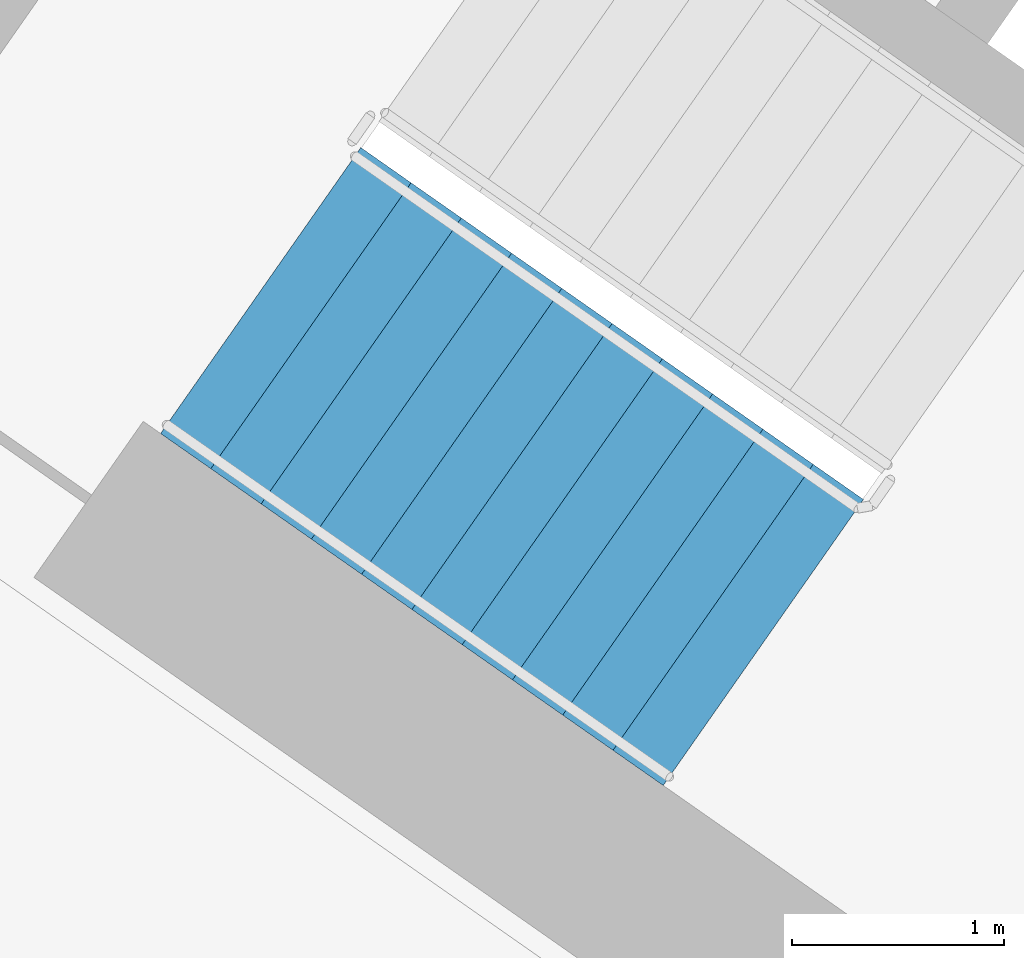
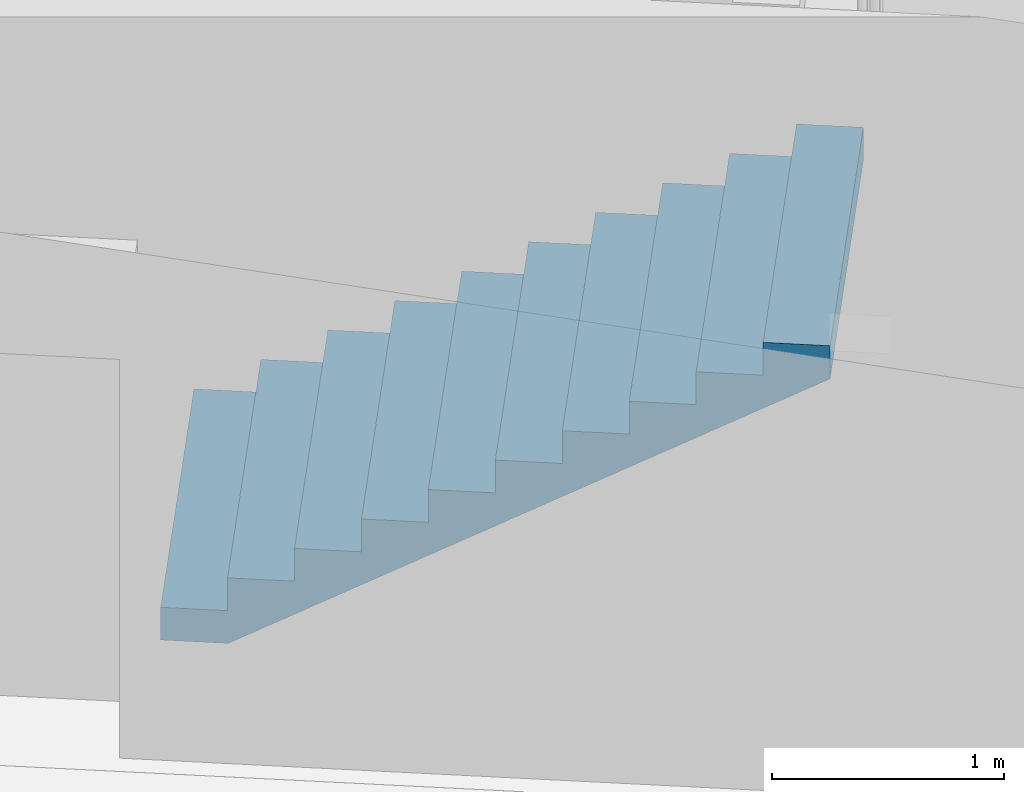
# One storey, part 11 of 32: 1 stair flight, 1 element without a shape of its own.
"""IFC4 building model written with IfcOpenShell, lengths in metres."""

from ifc_helpers import new_model, si_unit, direction, frame, origin, place, context, subcontext, project, spatial, faceted_brep, material, type_object, element, aggregate, save


model = new_model("IFC4")

# Units and contexts
model_context = context("Model", 3, precision=1e-05, world=origin(), true_north=direction((0.0, 1.0)))
body_context = subcontext(model_context, "Body", "Model", "MODEL_VIEW")
ifc_project = project(units=[si_unit("LENGTHUNIT", "METRE"), si_unit("AREAUNIT", "SQUARE_METRE"), si_unit("VOLUMEUNIT", "CUBIC_METRE"), si_unit("PLANEANGLEUNIT", "RADIAN"), si_unit("MASSUNIT", "GRAM", prefix="KILO")], contexts=[model_context])

# Site, building, storey
site_placement = place(None, origin())
site = spatial("IfcSite", under=ifc_project, at=site_placement, CompositionType="ELEMENT")
building_placement = place(site_placement, origin())
building = spatial("IfcBuilding", under=site, at=building_placement, Name="Qamariyya Broadcast Tower", CompositionType="ELEMENT")
storey_placement = place(building_placement, frame((0.0, 0.0, 63.300048828125)))
storey = spatial("IfcBuildingStorey", under=building, at=storey_placement, Name="L12", CompositionType="ELEMENT", Elevation=63.300048828125)

# Stair, stair flight
ifc_material = material(Name="Concrete C50/60", Category="concrete")
stair_type = type_object("IfcStairType", Name="Exit stair 22 risers of 173 mm", PredefinedType="HALF_TURN_STAIR", material=ifc_material)
stair_placement = place(storey_placement, origin())
stair = element("IfcStair", 1, at=stair_placement, inside=storey, type_object=stair_type, Name="L12 Stair W1", PredefinedType="HALF_TURN_STAIR")
stair_flight_type = type_object("IfcStairFlightType", Name="Exit stair flight 11 risers of 173 mm", PredefinedType="STRAIGHT", material=ifc_material)
stair_flight_placement = place(storey_placement, frame((-47.06884765625, -56.982666015625, 0.0), z_axis=(0.0, 0.0, 1.0), x_axis=(0.819152044289, -0.573576436351, 0.0)))
stair_flight = element("IfcStairFlight", 2, at=stair_flight_placement, type_object=stair_flight_type, Name="ST-W1 flight 1", NumberOfRisers=11, NumberOfTreads=10, PredefinedType="STRAIGHT", RiserHeight=0.172727273, TreadLength=0.29, context=body_context, shape_type="Brep", body=[
    faceted_brep([(0.0, 0.824951171875, 0.0), (0.0, 0.824951171875, 0.172607421875), (0.2900390625, 0.824951171875, 0.172607421875), (0.2900390625, 0.824951171875, 0.345458984375), (0.580078125, 0.824951171875, 0.345458984375), (0.580078125, 0.824951171875, 0.51806640625), (0.8701171875, 0.824951171875, 0.51806640625), (0.8701171875, 0.824951171875, 0.69091796875), (1.159912109375, 0.824951171875, 0.69091796875), (1.159912109375, 0.824951171875, 0.863525390625), (1.449951171875, 0.824951171875, 0.863525390625), (1.449951171875, 0.824951171875, 1.036376953125), (1.739990234375, 0.824951171875, 1.036376953125), (1.739990234375, 0.824951171875, 1.208984375), (2.030029296875, 0.824951171875, 1.208984375), (2.030029296875, 0.824951171875, 1.3818359375), (2.320068359375, 0.824951171875, 1.3818359375), (2.320068359375, 0.824951171875, 1.554443359375), (2.610107421875, 0.824951171875, 1.554443359375), (2.610107421875, 0.824951171875, 1.727294921875), (2.89990234375, 0.824951171875, 1.727294921875), (2.89990234375, 0.824951171875, 1.552734375), (0.29296875, 0.824951171875, 0.0), (0.29296875, -0.824951171875, 0.0), (2.89990234375, -0.824951171875, 1.552734375), (2.89990234375, -0.824951171875, 1.727294921875), (2.610107421875, -0.824951171875, 1.727294921875), (2.610107421875, -0.824951171875, 1.554443359375), (2.320068359375, -0.824951171875, 1.554443359375), (2.320068359375, -0.824951171875, 1.3818359375), (2.030029296875, -0.824951171875, 1.3818359375), (2.030029296875, -0.824951171875, 1.208984375), (1.739990234375, -0.824951171875, 1.208984375), (1.739990234375, -0.824951171875, 1.036376953125), (1.449951171875, -0.824951171875, 1.036376953125), (1.449951171875, -0.824951171875, 0.863525390625), (1.159912109375, -0.824951171875, 0.863525390625), (1.159912109375, -0.824951171875, 0.69091796875), (0.8701171875, -0.824951171875, 0.69091796875), (0.8701171875, -0.824951171875, 0.51806640625), (0.580078125, -0.824951171875, 0.51806640625), (0.580078125, -0.824951171875, 0.345458984375), (0.2900390625, -0.824951171875, 0.345458984375), (0.2900390625, -0.824951171875, 0.172607421875), (0.0, -0.824951171875, 0.172607421875), (0.0, -0.824951171875, 0.0), (0.0, 0.10009765625, 0.0), (0.0, 0.086669921875, 0.0), (0.0, 0.0732421875, 0.0), (0.0, 0.06005859375, 0.0), (0.0, 0.046630859375, 0.0), (0.0, 0.033447265625, 0.0), (0.0, 0.02001953125, 0.0), (0.0, 0.006591796875, 0.0), (0.0, -0.006591796875, 0.0), (0.0, -0.02001953125, 0.0), (0.0, -0.033447265625, 0.0), (0.0, -0.046630859375, 0.0), (0.0, -0.06005859375, 0.0), (0.0, -0.0732421875, 0.0), (0.0, -0.086669921875, 0.0), (0.0, -0.10009765625, 0.0), (0.0, -0.10009765625, 0.172607421875), (0.0, -0.086669921875, 0.172607421875), (0.0, -0.0732421875, 0.172607421875), (0.0, -0.06005859375, 0.172607421875), (0.0, -0.046630859375, 0.172607421875), (0.0, -0.033447265625, 0.172607421875), (0.0, -0.02001953125, 0.172607421875), (0.0, -0.006591796875, 0.172607421875), (0.0, 0.006591796875, 0.172607421875), (0.0, 0.02001953125, 0.172607421875), (0.0, 0.033447265625, 0.172607421875), (0.0, 0.046630859375, 0.172607421875), (0.0, 0.06005859375, 0.172607421875), (0.0, 0.0732421875, 0.172607421875), (0.0, 0.086669921875, 0.172607421875), (0.0, 0.10009765625, 0.172607421875), (0.2900390625, -0.10009765625, 0.172607421875), (0.2900390625, -0.086669921875, 0.172607421875), (0.2900390625, -0.0732421875, 0.172607421875), (0.2900390625, -0.06005859375, 0.172607421875), (0.2900390625, -0.046630859375, 0.172607421875), (0.2900390625, -0.033447265625, 0.172607421875), (0.2900390625, -0.02001953125, 0.172607421875), (0.2900390625, -0.006591796875, 0.172607421875), (0.2900390625, 0.006591796875, 0.172607421875), (0.2900390625, 0.02001953125, 0.172607421875), (0.2900390625, 0.033447265625, 0.172607421875), (0.2900390625, 0.046630859375, 0.172607421875), (0.2900390625, 0.06005859375, 0.172607421875), (0.2900390625, 0.0732421875, 0.172607421875), (0.2900390625, 0.086669921875, 0.172607421875), (0.2900390625, 0.10009765625, 0.172607421875), (0.2900390625, -0.10009765625, 0.345458984375), (0.2900390625, -0.086669921875, 0.345458984375), (0.2900390625, -0.0732421875, 0.345458984375), (0.2900390625, -0.06005859375, 0.345458984375), (0.2900390625, -0.046630859375, 0.345458984375), (0.2900390625, -0.033447265625, 0.345458984375), (0.2900390625, -0.02001953125, 0.345458984375), (0.2900390625, -0.006591796875, 0.345458984375), (0.2900390625, 0.006591796875, 0.345458984375), (0.2900390625, 0.02001953125, 0.345458984375), (0.2900390625, 0.033447265625, 0.345458984375), (0.2900390625, 0.046630859375, 0.345458984375), (0.2900390625, 0.06005859375, 0.345458984375), (0.2900390625, 0.0732421875, 0.345458984375), (0.2900390625, 0.086669921875, 0.345458984375), (0.2900390625, 0.10009765625, 0.345458984375), (0.580078125, -0.10009765625, 0.345458984375), (0.580078125, -0.086669921875, 0.345458984375), (0.580078125, -0.0732421875, 0.345458984375), (0.580078125, -0.06005859375, 0.345458984375), (0.580078125, -0.046630859375, 0.345458984375), (0.580078125, -0.033447265625, 0.345458984375), (0.580078125, -0.02001953125, 0.345458984375), (0.580078125, -0.006591796875, 0.345458984375), (0.580078125, 0.006591796875, 0.345458984375), (0.580078125, 0.02001953125, 0.345458984375), (0.580078125, 0.033447265625, 0.345458984375), (0.580078125, 0.046630859375, 0.345458984375), (0.580078125, 0.06005859375, 0.345458984375), (0.580078125, 0.0732421875, 0.345458984375), (0.580078125, 0.086669921875, 0.345458984375), (0.580078125, 0.10009765625, 0.345458984375), (0.580078125, -0.10009765625, 0.51806640625), (0.580078125, -0.086669921875, 0.51806640625), (0.580078125, -0.0732421875, 0.51806640625), (0.580078125, -0.06005859375, 0.51806640625), (0.580078125, -0.046630859375, 0.51806640625), (0.580078125, -0.033447265625, 0.51806640625), (0.580078125, -0.02001953125, 0.51806640625), (0.580078125, -0.006591796875, 0.51806640625), (0.580078125, 0.006591796875, 0.51806640625), (0.580078125, 0.02001953125, 0.51806640625), (0.580078125, 0.033447265625, 0.51806640625), (0.580078125, 0.046630859375, 0.51806640625), (0.580078125, 0.06005859375, 0.51806640625), (0.580078125, 0.0732421875, 0.51806640625), (0.580078125, 0.086669921875, 0.51806640625), (0.580078125, 0.10009765625, 0.51806640625), (0.8701171875, -0.10009765625, 0.51806640625), (0.8701171875, -0.086669921875, 0.51806640625), (0.8701171875, -0.0732421875, 0.51806640625), (0.8701171875, -0.06005859375, 0.51806640625), (0.8701171875, -0.046630859375, 0.51806640625), (0.8701171875, -0.033447265625, 0.51806640625), (0.8701171875, -0.02001953125, 0.51806640625), (0.8701171875, -0.006591796875, 0.51806640625), (0.8701171875, 0.006591796875, 0.51806640625), (0.8701171875, 0.02001953125, 0.51806640625), (0.8701171875, 0.033447265625, 0.51806640625), (0.8701171875, 0.046630859375, 0.51806640625), (0.8701171875, 0.06005859375, 0.51806640625), (0.8701171875, 0.0732421875, 0.51806640625), (0.8701171875, 0.086669921875, 0.51806640625), (0.8701171875, 0.10009765625, 0.51806640625), (0.8701171875, -0.10009765625, 0.69091796875), (0.8701171875, -0.086669921875, 0.69091796875), (0.8701171875, -0.0732421875, 0.69091796875), (0.8701171875, -0.06005859375, 0.69091796875), (0.8701171875, -0.046630859375, 0.69091796875), (0.8701171875, -0.033447265625, 0.69091796875), (0.8701171875, -0.02001953125, 0.69091796875), (0.8701171875, -0.006591796875, 0.69091796875), (0.8701171875, 0.006591796875, 0.69091796875), (0.8701171875, 0.02001953125, 0.69091796875), (0.8701171875, 0.033447265625, 0.69091796875), (0.8701171875, 0.046630859375, 0.69091796875), (0.8701171875, 0.06005859375, 0.69091796875), (0.8701171875, 0.0732421875, 0.69091796875), (0.8701171875, 0.086669921875, 0.69091796875), (0.8701171875, 0.10009765625, 0.69091796875), (1.159912109375, -0.10009765625, 0.69091796875), (1.159912109375, -0.086669921875, 0.69091796875), (1.159912109375, -0.0732421875, 0.69091796875), (1.159912109375, -0.06005859375, 0.69091796875), (1.159912109375, -0.046630859375, 0.69091796875), (1.159912109375, -0.033447265625, 0.69091796875), (1.159912109375, -0.02001953125, 0.69091796875), (1.159912109375, -0.006591796875, 0.69091796875), (1.159912109375, 0.006591796875, 0.69091796875), (1.159912109375, 0.02001953125, 0.69091796875), (1.159912109375, 0.033447265625, 0.69091796875), (1.159912109375, 0.046630859375, 0.69091796875), (1.159912109375, 0.06005859375, 0.69091796875), (1.159912109375, 0.0732421875, 0.69091796875), (1.159912109375, 0.086669921875, 0.69091796875), (1.159912109375, 0.10009765625, 0.69091796875), (1.159912109375, -0.10009765625, 0.863525390625), (1.159912109375, -0.086669921875, 0.863525390625), (1.159912109375, -0.0732421875, 0.863525390625), (1.159912109375, -0.06005859375, 0.863525390625), (1.159912109375, -0.046630859375, 0.863525390625), (1.159912109375, -0.033447265625, 0.863525390625), (1.159912109375, -0.02001953125, 0.863525390625), (1.159912109375, -0.006591796875, 0.863525390625), (1.159912109375, 0.006591796875, 0.863525390625), (1.159912109375, 0.02001953125, 0.863525390625), (1.159912109375, 0.033447265625, 0.863525390625), (1.159912109375, 0.046630859375, 0.863525390625), (1.159912109375, 0.06005859375, 0.863525390625), (1.159912109375, 0.0732421875, 0.863525390625), (1.159912109375, 0.086669921875, 0.863525390625), (1.159912109375, 0.10009765625, 0.863525390625), (1.449951171875, -0.10009765625, 0.863525390625), (1.449951171875, -0.086669921875, 0.863525390625), (1.449951171875, -0.0732421875, 0.863525390625), (1.449951171875, -0.06005859375, 0.863525390625), (1.449951171875, -0.046630859375, 0.863525390625), (1.449951171875, -0.033447265625, 0.863525390625), (1.449951171875, -0.02001953125, 0.863525390625), (1.449951171875, -0.006591796875, 0.863525390625), (1.449951171875, 0.006591796875, 0.863525390625), (1.449951171875, 0.02001953125, 0.863525390625), (1.449951171875, 0.033447265625, 0.863525390625), (1.449951171875, 0.046630859375, 0.863525390625), (1.449951171875, 0.06005859375, 0.863525390625), (1.449951171875, 0.0732421875, 0.863525390625), (1.449951171875, 0.086669921875, 0.863525390625), (1.449951171875, 0.10009765625, 0.863525390625), (1.449951171875, -0.10009765625, 1.036376953125), (1.449951171875, -0.086669921875, 1.036376953125), (1.449951171875, -0.0732421875, 1.036376953125), (1.449951171875, -0.06005859375, 1.036376953125), (1.449951171875, -0.046630859375, 1.036376953125), (1.449951171875, -0.033447265625, 1.036376953125), (1.449951171875, -0.02001953125, 1.036376953125), (1.449951171875, -0.006591796875, 1.036376953125), (1.449951171875, 0.006591796875, 1.036376953125), (1.449951171875, 0.02001953125, 1.036376953125), (1.449951171875, 0.033447265625, 1.036376953125), (1.449951171875, 0.046630859375, 1.036376953125), (1.449951171875, 0.06005859375, 1.036376953125), (1.449951171875, 0.0732421875, 1.036376953125), (1.449951171875, 0.086669921875, 1.036376953125), (1.449951171875, 0.10009765625, 1.036376953125), (1.739990234375, -0.10009765625, 1.036376953125), (1.739990234375, -0.086669921875, 1.036376953125), (1.739990234375, -0.0732421875, 1.036376953125), (1.739990234375, -0.06005859375, 1.036376953125), (1.739990234375, -0.046630859375, 1.036376953125), (1.739990234375, -0.033447265625, 1.036376953125), (1.739990234375, -0.02001953125, 1.036376953125), (1.739990234375, -0.006591796875, 1.036376953125), (1.739990234375, 0.006591796875, 1.036376953125), (1.739990234375, 0.02001953125, 1.036376953125), (1.739990234375, 0.033447265625, 1.036376953125), (1.739990234375, 0.046630859375, 1.036376953125), (1.739990234375, 0.06005859375, 1.036376953125), (1.739990234375, 0.0732421875, 1.036376953125), (1.739990234375, 0.086669921875, 1.036376953125), (1.739990234375, 0.10009765625, 1.036376953125), (1.739990234375, -0.10009765625, 1.208984375), (1.739990234375, -0.086669921875, 1.208984375), (1.739990234375, -0.0732421875, 1.208984375), (1.739990234375, -0.06005859375, 1.208984375), (1.739990234375, -0.046630859375, 1.208984375), (1.739990234375, -0.033447265625, 1.208984375), (1.739990234375, -0.02001953125, 1.208984375), (1.739990234375, -0.006591796875, 1.208984375), (1.739990234375, 0.006591796875, 1.208984375), (1.739990234375, 0.02001953125, 1.208984375), (1.739990234375, 0.033447265625, 1.208984375), (1.739990234375, 0.046630859375, 1.208984375), (1.739990234375, 0.06005859375, 1.208984375), (1.739990234375, 0.0732421875, 1.208984375), (1.739990234375, 0.086669921875, 1.208984375), (1.739990234375, 0.10009765625, 1.208984375), (2.030029296875, -0.10009765625, 1.208984375), (2.030029296875, -0.086669921875, 1.208984375), (2.030029296875, -0.0732421875, 1.208984375), (2.030029296875, -0.06005859375, 1.208984375), (2.030029296875, -0.046630859375, 1.208984375), (2.030029296875, -0.033447265625, 1.208984375), (2.030029296875, -0.02001953125, 1.208984375), (2.030029296875, -0.006591796875, 1.208984375), (2.030029296875, 0.006591796875, 1.208984375), (2.030029296875, 0.02001953125, 1.208984375), (2.030029296875, 0.033447265625, 1.208984375), (2.030029296875, 0.046630859375, 1.208984375), (2.030029296875, 0.06005859375, 1.208984375), (2.030029296875, 0.0732421875, 1.208984375), (2.030029296875, 0.086669921875, 1.208984375), (2.030029296875, 0.10009765625, 1.208984375), (2.030029296875, -0.10009765625, 1.3818359375), (2.030029296875, -0.086669921875, 1.3818359375), (2.030029296875, -0.0732421875, 1.3818359375), (2.030029296875, -0.06005859375, 1.3818359375), (2.030029296875, -0.046630859375, 1.3818359375), (2.030029296875, -0.033447265625, 1.3818359375), (2.030029296875, -0.02001953125, 1.3818359375), (2.030029296875, -0.006591796875, 1.3818359375), (2.030029296875, 0.006591796875, 1.3818359375), (2.030029296875, 0.02001953125, 1.3818359375), (2.030029296875, 0.033447265625, 1.3818359375), (2.030029296875, 0.046630859375, 1.3818359375), (2.030029296875, 0.06005859375, 1.3818359375), (2.030029296875, 0.0732421875, 1.3818359375), (2.030029296875, 0.086669921875, 1.3818359375), (2.030029296875, 0.10009765625, 1.3818359375), (2.320068359375, -0.10009765625, 1.3818359375), (2.320068359375, -0.086669921875, 1.3818359375), (2.320068359375, -0.0732421875, 1.3818359375), (2.320068359375, -0.06005859375, 1.3818359375), (2.320068359375, -0.046630859375, 1.3818359375), (2.320068359375, -0.033447265625, 1.3818359375), (2.320068359375, -0.02001953125, 1.3818359375), (2.320068359375, -0.006591796875, 1.3818359375), (2.320068359375, 0.006591796875, 1.3818359375), (2.320068359375, 0.02001953125, 1.3818359375), (2.320068359375, 0.033447265625, 1.3818359375), (2.320068359375, 0.046630859375, 1.3818359375), (2.320068359375, 0.06005859375, 1.3818359375), (2.320068359375, 0.0732421875, 1.3818359375), (2.320068359375, 0.086669921875, 1.3818359375), (2.320068359375, 0.10009765625, 1.3818359375), (2.320068359375, -0.10009765625, 1.554443359375), (2.320068359375, -0.086669921875, 1.554443359375), (2.320068359375, -0.0732421875, 1.554443359375), (2.320068359375, -0.06005859375, 1.554443359375), (2.320068359375, -0.046630859375, 1.554443359375), (2.320068359375, -0.033447265625, 1.554443359375), (2.320068359375, -0.02001953125, 1.554443359375), (2.320068359375, -0.006591796875, 1.554443359375), (2.320068359375, 0.006591796875, 1.554443359375), (2.320068359375, 0.02001953125, 1.554443359375), (2.320068359375, 0.033447265625, 1.554443359375), (2.320068359375, 0.046630859375, 1.554443359375), (2.320068359375, 0.06005859375, 1.554443359375), (2.320068359375, 0.0732421875, 1.554443359375), (2.320068359375, 0.086669921875, 1.554443359375), (2.320068359375, 0.10009765625, 1.554443359375), (2.610107421875, -0.10009765625, 1.554443359375), (2.610107421875, -0.086669921875, 1.554443359375), (2.610107421875, -0.0732421875, 1.554443359375), (2.610107421875, -0.06005859375, 1.554443359375), (2.610107421875, -0.046630859375, 1.554443359375), (2.610107421875, -0.033447265625, 1.554443359375), (2.610107421875, -0.02001953125, 1.554443359375), (2.610107421875, -0.006591796875, 1.554443359375), (2.610107421875, 0.006591796875, 1.554443359375), (2.610107421875, 0.02001953125, 1.554443359375), (2.610107421875, 0.033447265625, 1.554443359375), (2.610107421875, 0.046630859375, 1.554443359375), (2.610107421875, 0.06005859375, 1.554443359375), (2.610107421875, 0.0732421875, 1.554443359375), (2.610107421875, 0.086669921875, 1.554443359375), (2.610107421875, 0.10009765625, 1.554443359375), (2.610107421875, -0.10009765625, 1.727294921875), (2.610107421875, -0.086669921875, 1.727294921875), (2.610107421875, -0.0732421875, 1.727294921875), (2.610107421875, -0.06005859375, 1.727294921875), (2.610107421875, -0.046630859375, 1.727294921875), (2.610107421875, -0.033447265625, 1.727294921875), (2.610107421875, -0.02001953125, 1.727294921875), (2.610107421875, -0.006591796875, 1.727294921875), (2.610107421875, 0.006591796875, 1.727294921875), (2.610107421875, 0.02001953125, 1.727294921875), (2.610107421875, 0.033447265625, 1.727294921875), (2.610107421875, 0.046630859375, 1.727294921875), (2.610107421875, 0.06005859375, 1.727294921875), (2.610107421875, 0.0732421875, 1.727294921875), (2.610107421875, 0.086669921875, 1.727294921875), (2.610107421875, 0.10009765625, 1.727294921875), (2.89990234375, -0.10009765625, 1.727294921875), (2.89990234375, -0.086669921875, 1.727294921875), (2.89990234375, -0.0732421875, 1.727294921875), (2.89990234375, -0.06005859375, 1.727294921875), (2.89990234375, -0.046630859375, 1.727294921875), (2.89990234375, -0.033447265625, 1.727294921875), (2.89990234375, -0.02001953125, 1.727294921875), (2.89990234375, -0.006591796875, 1.727294921875), (2.89990234375, 0.006591796875, 1.727294921875), (2.89990234375, 0.02001953125, 1.727294921875), (2.89990234375, 0.033447265625, 1.727294921875), (2.89990234375, 0.046630859375, 1.727294921875), (2.89990234375, 0.06005859375, 1.727294921875), (2.89990234375, 0.0732421875, 1.727294921875), (2.89990234375, 0.086669921875, 1.727294921875), (2.89990234375, 0.10009765625, 1.727294921875), (2.89990234375, -0.10009765625, 1.552734375), (2.89990234375, -0.086669921875, 1.552734375), (2.89990234375, -0.0732421875, 1.552734375), (2.89990234375, -0.06005859375, 1.552734375), (2.89990234375, -0.046630859375, 1.552734375), (2.89990234375, -0.033447265625, 1.552734375), (2.89990234375, -0.02001953125, 1.552734375), (2.89990234375, -0.006591796875, 1.552734375), (2.89990234375, 0.006591796875, 1.552734375), (2.89990234375, 0.02001953125, 1.552734375), (2.89990234375, 0.033447265625, 1.552734375), (2.89990234375, 0.046630859375, 1.552734375), (2.89990234375, 0.06005859375, 1.552734375), (2.89990234375, 0.0732421875, 1.552734375), (2.89990234375, 0.086669921875, 1.552734375), (2.89990234375, 0.10009765625, 1.552734375), (0.29296875, -0.10009765625, 0.0), (0.29296875, -0.086669921875, 0.0), (0.29296875, -0.0732421875, 0.0), (0.29296875, -0.06005859375, 0.0), (0.29296875, -0.046630859375, 0.0), (0.29296875, -0.033447265625, 0.0), (0.29296875, -0.02001953125, 0.0), (0.29296875, -0.006591796875, 0.0), (0.29296875, 0.006591796875, 0.0), (0.29296875, 0.02001953125, 0.0), (0.29296875, 0.033447265625, 0.0), (0.29296875, 0.046630859375, 0.0), (0.29296875, 0.06005859375, 0.0), (0.29296875, 0.0732421875, 0.0), (0.29296875, 0.086669921875, 0.0), (0.29296875, 0.10009765625, 0.0)], [[[0, 1, 2, 3, 4, 5, 6, 7, 8, 9, 10, 11, 12, 13, 14, 15, 16, 17, 18, 19, 20, 21, 22]], [[23, 24, 25, 26, 27, 28, 29, 30, 31, 32, 33, 34, 35, 36, 37, 38, 39, 40, 41, 42, 43, 44, 45]], [[0, 46, 47, 48, 49, 50, 51, 52, 53, 54, 55, 56, 57, 58, 59, 60, 61, 45, 44, 62, 63, 64, 65, 66, 67, 68, 69, 70, 71, 72, 73, 74, 75, 76, 77, 1]], [[1, 77, 76, 75, 74, 73, 72, 71, 70, 69, 68, 67, 66, 65, 64, 63, 62, 44, 43, 78, 79, 80, 81, 82, 83, 84, 85, 86, 87, 88, 89, 90, 91, 92, 93, 2]], [[2, 93, 92, 91, 90, 89, 88, 87, 86, 85, 84, 83, 82, 81, 80, 79, 78, 43, 42, 94, 95, 96, 97, 98, 99, 100, 101, 102, 103, 104, 105, 106, 107, 108, 109, 3]], [[3, 109, 108, 107, 106, 105, 104, 103, 102, 101, 100, 99, 98, 97, 96, 95, 94, 42, 41, 110, 111, 112, 113, 114, 115, 116, 117, 118, 119, 120, 121, 122, 123, 124, 125, 4]], [[4, 125, 124, 123, 122, 121, 120, 119, 118, 117, 116, 115, 114, 113, 112, 111, 110, 41, 40, 126, 127, 128, 129, 130, 131, 132, 133, 134, 135, 136, 137, 138, 139, 140, 141, 5]], [[5, 141, 140, 139, 138, 137, 136, 135, 134, 133, 132, 131, 130, 129, 128, 127, 126, 40, 39, 142, 143, 144, 145, 146, 147, 148, 149, 150, 151, 152, 153, 154, 155, 156, 157, 6]], [[6, 157, 156, 155, 154, 153, 152, 151, 150, 149, 148, 147, 146, 145, 144, 143, 142, 39, 38, 158, 159, 160, 161, 162, 163, 164, 165, 166, 167, 168, 169, 170, 171, 172, 173, 7]], [[7, 173, 172, 171, 170, 169, 168, 167, 166, 165, 164, 163, 162, 161, 160, 159, 158, 38, 37, 174, 175, 176, 177, 178, 179, 180, 181, 182, 183, 184, 185, 186, 187, 188, 189, 8]], [[8, 189, 188, 187, 186, 185, 184, 183, 182, 181, 180, 179, 178, 177, 176, 175, 174, 37, 36, 190, 191, 192, 193, 194, 195, 196, 197, 198, 199, 200, 201, 202, 203, 204, 205, 9]], [[9, 205, 204, 203, 202, 201, 200, 199, 198, 197, 196, 195, 194, 193, 192, 191, 190, 36, 35, 206, 207, 208, 209, 210, 211, 212, 213, 214, 215, 216, 217, 218, 219, 220, 221, 10]], [[10, 221, 220, 219, 218, 217, 216, 215, 214, 213, 212, 211, 210, 209, 208, 207, 206, 35, 34, 222, 223, 224, 225, 226, 227, 228, 229, 230, 231, 232, 233, 234, 235, 236, 237, 11]], [[11, 237, 236, 235, 234, 233, 232, 231, 230, 229, 228, 227, 226, 225, 224, 223, 222, 34, 33, 238, 239, 240, 241, 242, 243, 244, 245, 246, 247, 248, 249, 250, 251, 252, 253, 12]], [[12, 253, 252, 251, 250, 249, 248, 247, 246, 245, 244, 243, 242, 241, 240, 239, 238, 33, 32, 254, 255, 256, 257, 258, 259, 260, 261, 262, 263, 264, 265, 266, 267, 268, 269, 13]], [[13, 269, 268, 267, 266, 265, 264, 263, 262, 261, 260, 259, 258, 257, 256, 255, 254, 32, 31, 270, 271, 272, 273, 274, 275, 276, 277, 278, 279, 280, 281, 282, 283, 284, 285, 14]], [[14, 285, 284, 283, 282, 281, 280, 279, 278, 277, 276, 275, 274, 273, 272, 271, 270, 31, 30, 286, 287, 288, 289, 290, 291, 292, 293, 294, 295, 296, 297, 298, 299, 300, 301, 15]], [[15, 301, 300, 299, 298, 297, 296, 295, 294, 293, 292, 291, 290, 289, 288, 287, 286, 30, 29, 302, 303, 304, 305, 306, 307, 308, 309, 310, 311, 312, 313, 314, 315, 316, 317, 16]], [[16, 317, 316, 315, 314, 313, 312, 311, 310, 309, 308, 307, 306, 305, 304, 303, 302, 29, 28, 318, 319, 320, 321, 322, 323, 324, 325, 326, 327, 328, 329, 330, 331, 332, 333, 17]], [[17, 333, 332, 331, 330, 329, 328, 327, 326, 325, 324, 323, 322, 321, 320, 319, 318, 28, 27, 334, 335, 336, 337, 338, 339, 340, 341, 342, 343, 344, 345, 346, 347, 348, 349, 18]], [[18, 349, 348, 347, 346, 345, 344, 343, 342, 341, 340, 339, 338, 337, 336, 335, 334, 27, 26, 350, 351, 352, 353, 354, 355, 356, 357, 358, 359, 360, 361, 362, 363, 364, 365, 19]], [[19, 365, 364, 363, 362, 361, 360, 359, 358, 357, 356, 355, 354, 353, 352, 351, 350, 26, 25, 366, 367, 368, 369, 370, 371, 372, 373, 374, 375, 376, 377, 378, 379, 380, 381, 20]], [[20, 381, 380, 379, 378, 377, 376, 375, 374, 373, 372, 371, 370, 369, 368, 367, 366, 25, 24, 382, 383, 384, 385, 386, 387, 388, 389, 390, 391, 392, 393, 394, 395, 396, 397, 21]], [[21, 397, 396, 395, 394, 393, 392, 391, 390, 389, 388, 387, 386, 385, 384, 383, 382, 24, 23, 398, 399, 400, 401, 402, 403, 404, 405, 406, 407, 408, 409, 410, 411, 412, 413, 22]], [[22, 413, 412, 411, 410, 409, 408, 407, 406, 405, 404, 403, 402, 401, 400, 399, 398, 23, 45, 61, 60, 59, 58, 57, 56, 55, 54, 53, 52, 51, 50, 49, 48, 47, 46, 0]]]),
])
aggregate(stair, [stair_flight])

save(model, "model.ifc")
